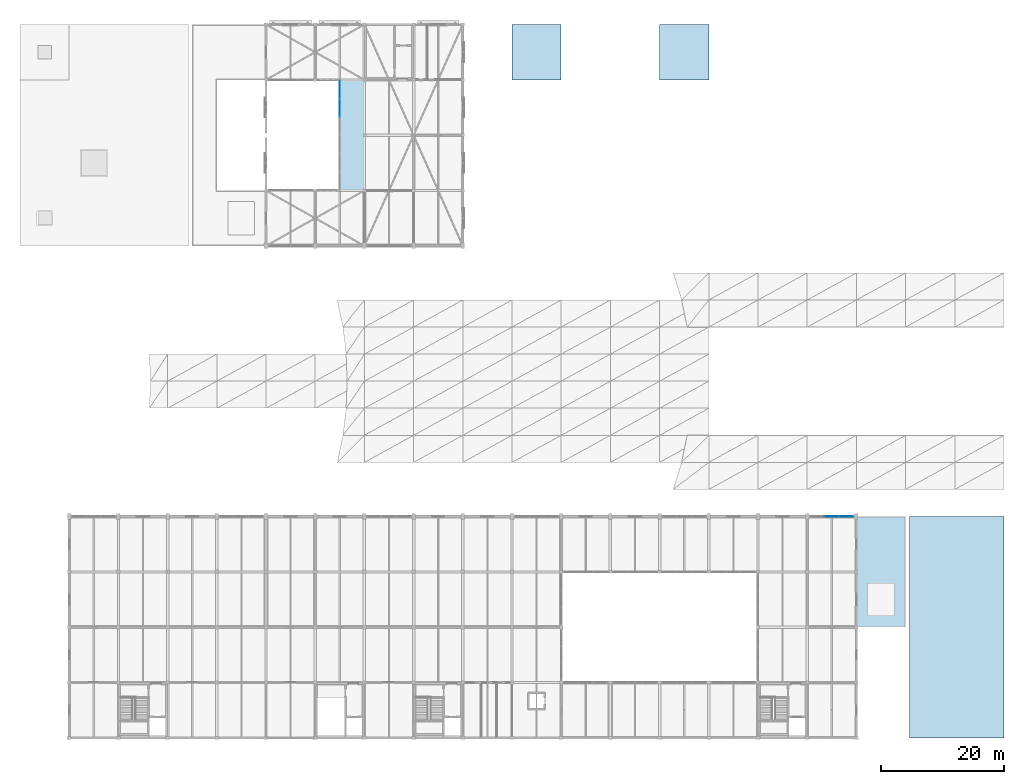
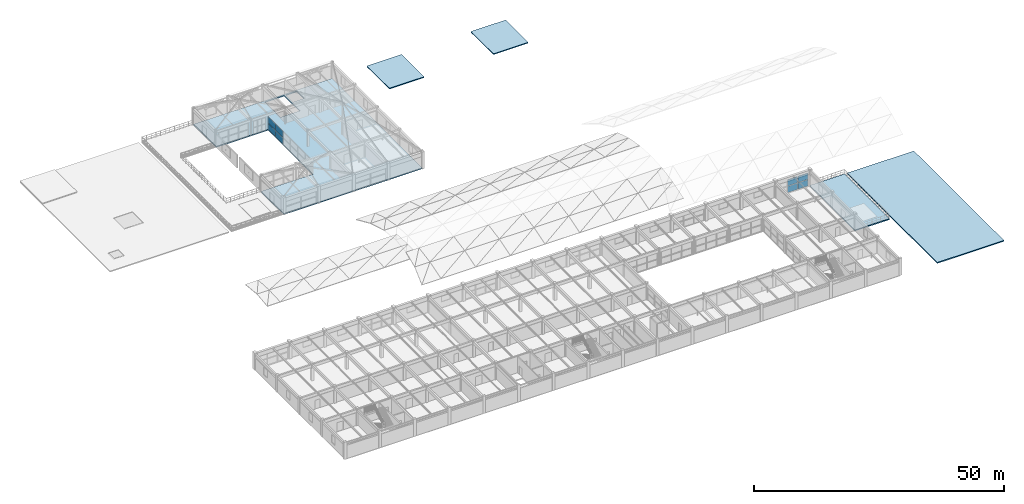
# One storey, part 40 of 63: 8 plates, 5 slabs, 2 elements without a shape of their own.
"""IFC4 building model written with IfcOpenShell, lengths in metres."""

from ifc_helpers import new_model, si_unit, direction, frame, origin, origin_2d, place, context, subcontext, project, spatial, polyline, rectangle, outline, extrude, material, layer, layer_set, type_object, element, aggregate, save


model = new_model("IFC4")

# Units and contexts
model_context = context("Model", 3, precision=1e-05, world=origin(), true_north=direction((0.0, 1.0)))
body_context = subcontext(model_context, "Body", "Model", "MODEL_VIEW")
ifc_project = project(units=[si_unit("LENGTHUNIT", "METRE"), si_unit("AREAUNIT", "SQUARE_METRE"), si_unit("VOLUMEUNIT", "CUBIC_METRE"), si_unit("PLANEANGLEUNIT", "RADIAN"), si_unit("MASSUNIT", "GRAM", prefix="KILO")], contexts=[model_context])

# Site, building, storey
site_placement = place(None, origin())
site = spatial("IfcSite", under=ifc_project, at=site_placement, CompositionType="ELEMENT")
building_placement = place(site_placement, origin())
building = spatial("IfcBuilding", under=site, at=building_placement, Name="Varnabhumi Central Station", CompositionType="ELEMENT")
storey_placement = place(building_placement, frame((0.0, 0.0, 20.39990234375)))
storey = spatial("IfcBuildingStorey", under=building, at=storey_placement, Name="L04", CompositionType="ELEMENT", Elevation=20.39990234375)

# Curtain wall, plates
ifc_material_1 = material(Name="Anodised aluminium 6063-T6", Category="aluminium")
curtain_wall_type_1 = type_object("IfcCurtainWallType", Name="CW-PATIO-LOGGIA-L3", PredefinedType="NOTDEFINED", material=ifc_material_1)
curtain_wall_1_placement = place(storey_placement, origin())
curtain_wall_1 = element("IfcCurtainWall", 1, at=curtain_wall_1_placement, inside=storey, type_object=curtain_wall_type_1, Name="Curtain Wall CW-NP4W2", PredefinedType="NOTDEFINED")
ifc_material_2 = material(Name="Laminated low-E double glazing", Category="glass")
ifc_layer_1 = layer(ifc_material_2, 0.035888671875, Name="Laminated low-E double glazing", Category="glass")
ifc_layer_set_1 = layer_set([ifc_layer_1], Name="Laminated low-E double glazing")
plate_type = type_object("IfcPlateType", Name="CW-PNL-GLZ-2", PredefinedType="CURTAIN_PANEL", material=ifc_layer_set_1)
plate_1_placement = place(storey_placement, frame((76.0, 102.469970703125, 0.0400390625), z_axis=(0.0, 0.0, 1.0), x_axis=(0.0, 1.0, 0.0)))
plate_1 = element("IfcPlate", 2, at=plate_1_placement, type_object=plate_type, Name="Glazed Panel CW-NP4W2-P21", PredefinedType="CURTAIN_PANEL", context=body_context, shape_type="SweptSolid", body=[
    extrude(rectangle(XDim=2.88671875, YDim=0.035888671875, at=origin_2d()), origin(), (0.0, 0.0, 1.0), 1.5400390625),
])
plate_2_placement = place(storey_placement, frame((76.0, 102.469970703125, 1.66015625), z_axis=(0.0, 0.0, 1.0), x_axis=(0.0, 1.0, 0.0)))
plate_2 = element("IfcPlate", 3, at=plate_2_placement, type_object=plate_type, Name="Glazed Panel CW-NP4W2-P22", PredefinedType="CURTAIN_PANEL", context=body_context, shape_type="SweptSolid", body=[
    extrude(rectangle(XDim=2.88671875, YDim=0.035888671875, at=origin_2d()), origin(), (0.0, 0.0, 1.0), 1.5400390625),
])
plate_3_placement = place(storey_placement, frame((76.0, 105.436767578125, 0.0400390625), z_axis=(0.0, 0.0, 1.0), x_axis=(0.0, 1.0, 0.0)))
plate_3 = element("IfcPlate", 4, at=plate_3_placement, type_object=plate_type, Name="Glazed Panel CW-NP4W2-P31", PredefinedType="CURTAIN_PANEL", context=body_context, shape_type="SweptSolid", body=[
    extrude(rectangle(XDim=2.88671875, YDim=0.035888671875, at=origin_2d()), origin(), (0.0, 0.0, 1.0), 1.5400390625),
])
plate_4_placement = place(storey_placement, frame((76.0, 105.436767578125, 1.66015625), z_axis=(0.0, 0.0, 1.0), x_axis=(0.0, 1.0, 0.0)))
plate_4 = element("IfcPlate", 5, at=plate_4_placement, type_object=plate_type, Name="Glazed Panel CW-NP4W2-P32", PredefinedType="CURTAIN_PANEL", context=body_context, shape_type="SweptSolid", body=[
    extrude(rectangle(XDim=2.88671875, YDim=0.035888671875, at=origin_2d()), origin(), (0.0, 0.0, 1.0), 1.5400390625),
])
aggregate(curtain_wall_1, [plate_1, plate_2, plate_3, plate_4])

curtain_wall_type_2 = type_object("IfcCurtainWallType", Name="CW-SPINE-SCREEN-L0", PredefinedType="NOTDEFINED", material=ifc_material_1)
curtain_wall_2_placement = place(storey_placement, origin())
curtain_wall_2 = element("IfcCurtainWall", 6, at=curtain_wall_2_placement, inside=storey, type_object=curtain_wall_type_2, Name="Curtain Wall CW-SS415", PredefinedType="NOTDEFINED")
plate_5_placement = place(storey_placement, frame((156.0, 36.0, 0.0400390625), z_axis=(0.0, 0.0, 1.0), x_axis=(1.0, 0.0, 0.0)))
plate_5 = element("IfcPlate", 7, at=plate_5_placement, type_object=plate_type, Name="Glazed Panel CW-SS415-P21", PredefinedType="CURTAIN_PANEL", context=body_context, shape_type="SweptSolid", body=[
    extrude(rectangle(XDim=2.28662109375, YDim=0.035888671875, at=origin_2d()), origin(), (0.0, 0.0, 1.0), 1.5400390625),
])
plate_6_placement = place(storey_placement, frame((156.0, 36.0, 1.66015625), z_axis=(0.0, 0.0, 1.0), x_axis=(1.0, 0.0, 0.0)))
plate_6 = element("IfcPlate", 8, at=plate_6_placement, type_object=plate_type, Name="Glazed Panel CW-SS415-P22", PredefinedType="CURTAIN_PANEL", context=body_context, shape_type="SweptSolid", body=[
    extrude(rectangle(XDim=2.28662109375, YDim=0.035888671875, at=origin_2d()), origin(), (0.0, 0.0, 1.0), 1.5400390625),
])
plate_7_placement = place(storey_placement, frame((158.36669921875, 36.0, 0.0400390625), z_axis=(0.0, 0.0, 1.0), x_axis=(1.0, 0.0, 0.0)))
plate_7 = element("IfcPlate", 9, at=plate_7_placement, type_object=plate_type, Name="Glazed Panel CW-SS415-P31", PredefinedType="CURTAIN_PANEL", context=body_context, shape_type="SweptSolid", body=[
    extrude(rectangle(XDim=2.28662109375, YDim=0.035888671875, at=origin_2d()), origin(), (0.0, 0.0, 1.0), 1.5400390625),
])
plate_8_placement = place(storey_placement, frame((158.36669921875, 36.0, 1.66015625), z_axis=(0.0, 0.0, 1.0), x_axis=(1.0, 0.0, 0.0)))
plate_8 = element("IfcPlate", 10, at=plate_8_placement, type_object=plate_type, Name="Glazed Panel CW-SS415-P32", PredefinedType="CURTAIN_PANEL", context=body_context, shape_type="SweptSolid", body=[
    extrude(rectangle(XDim=2.28662109375, YDim=0.035888671875, at=origin_2d()), origin(), (0.0, 0.0, 1.0), 1.5400390625),
])
aggregate(curtain_wall_2, [plate_5, plate_6, plate_7, plate_8])

# Slabs
ifc_material_3 = material(Name="Concrete M40", Category="concrete")
ifc_layer_2 = layer(ifc_material_3, 0.25, Name="Concrete M40", Category="concrete")
ifc_layer_set_2 = layer_set([ifc_layer_2], Name="Concrete M40")
slab_type_1 = type_object("IfcSlabType", Name="SLB-AZOTEA-200", PredefinedType="ROOF", material=ifc_layer_set_2)
slab_1_placement = place(storey_placement, frame((0.0, 0.0, -0.25)))
element("IfcSlab", 11, at=slab_1_placement, inside=storey, type_object=slab_type_1, Name="Azotea Roof Garden Slab L04-5", PredefinedType="ROOF", context=body_context, shape_type="SweptSolid", body=[
    extrude(outline(polyline([(160.0, 18.0), (168.0, 18.0), (168.0, 36.0), (160.0, 36.0), (160.0, 18.0)])), origin(), (0.0, 0.0, 1.0), 0.25),
])
ifc_layer_3 = layer(ifc_material_3, 0.219970703125, Name="Concrete M40", Category="concrete")
ifc_layer_set_3 = layer_set([ifc_layer_3], Name="Concrete M40")
slab_type_2 = type_object("IfcSlabType", Name="SLB-ROOF-220", PredefinedType="ROOF", material=ifc_layer_set_3)
slab_2_placement = place(storey_placement, origin())
element("IfcSlab", 12, at=slab_2_placement, inside=storey, type_object=slab_type_2, Name="Weatherproof Flat Roof Slab n_l04_c2", PredefinedType="ROOF", context=body_context, shape_type="SweptSolid", body=[
    extrude(outline(polyline([(104.0, 107.0), (112.0, 107.0), (112.0, 116.0), (104.0, 116.0), (104.0, 107.0)])), origin(), (0.0, 0.0, 1.0), 0.22021484375),
])
slab_3_placement = place(storey_placement, origin())
element("IfcSlab", 13, at=slab_3_placement, inside=storey, type_object=slab_type_2, Name="Weatherproof Flat Roof Slab n_l04_c3", PredefinedType="ROOF", context=body_context, shape_type="SweptSolid", body=[
    extrude(outline(polyline([(128.0, 107.0), (136.0, 107.0), (136.0, 116.0), (128.0, 116.0), (128.0, 107.0)])), origin(), (0.0, 0.0, 1.0), 0.22021484375),
])
slab_4_placement = place(storey_placement, frame((0.0, 0.0, -0.25)))
element("IfcSlab", 14, at=slab_4_placement, inside=storey, type_object=slab_type_2, Name="Weatherproof Flat Roof Slab l04_se_maint", PredefinedType="ROOF", context=body_context, shape_type="SweptSolid", body=[
    extrude(outline(polyline([(168.60009765625, 0.0), (184.0, 0.0), (184.0, 36.0), (168.60009765625, 36.0), (168.60009765625, 0.0)])), origin(), (0.0, 0.0, 1.0), 0.25),
])
ifc_layer_4 = layer(ifc_material_3, 0.25, Name="Concrete M40", Category="concrete")
ifc_layer_set_4 = layer_set([ifc_layer_4], Name="Concrete M40")
slab_type_3 = type_object("IfcSlabType", Name="SLB-WING-250", PredefinedType="FLOOR", material=ifc_layer_set_4)
slab_5_placement = place(storey_placement, frame((0.0, 0.0, -0.25)))
element("IfcSlab", 15, at=slab_5_placement, inside=storey, type_object=slab_type_3, Name="North Wing L04 Floor Slab Zone 1", PredefinedType="FLOOR", context=body_context, shape_type="SweptSolid", body=[
    extrude(outline(polyline([(64.06005859375, 80.0), (96.0, 80.0), (96.0, 116.0), (64.06005859375, 116.0), (64.06005859375, 107.0), (76.0, 107.0), (76.0, 89.0), (64.06005859375, 89.0), (64.06005859375, 80.0)]), holes=[polyline([(80.330078125, 109.419921875), (84.760009765625, 109.419921875), (84.760009765625, 115.64990234375), (80.330078125, 115.64990234375), (80.330078125, 109.419921875)]), polyline([(85.0400390625, 112.75), (87.669921875, 112.75), (87.669921875, 115.64990234375), (85.0400390625, 115.64990234375), (85.0400390625, 112.75)])]), origin(), (0.0, 0.0, 1.0), 0.25),
])

save(model, "model.ifc")
